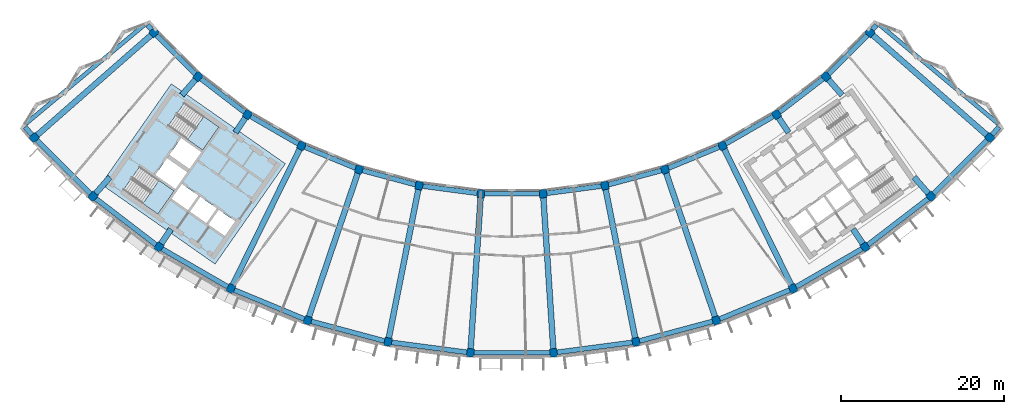
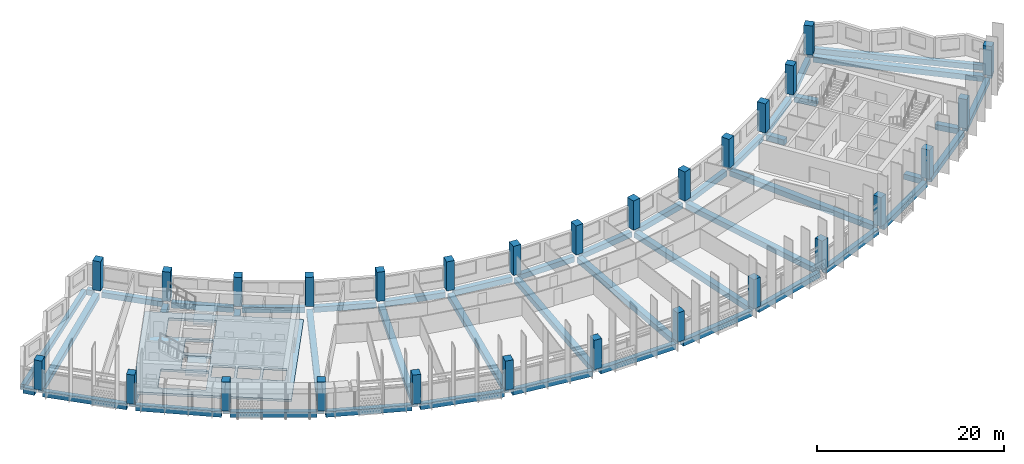
# One storey, part 1 of 28: 50 beams, 28 columns, 3 slabs, 2 elements without a shape of their own.
"""IFC4 building model written with IfcOpenShell, lengths in metres."""

from ifc_helpers import new_model, si_unit, direction, frame, origin, origin_2d, place, context, subcontext, project, spatial, polyline, rectangle, outline, extrude, material, layer, layer_set, material_profile, profile_set, type_object, element, aggregate, save


model = new_model("IFC4")

# Units and contexts
model_context = context("Model", 3, precision=1e-05, world=origin(), true_north=direction((0.0, 1.0)))
body_context = subcontext(model_context, "Body", "Model", "MODEL_VIEW")
ifc_project = project(units=[si_unit("LENGTHUNIT", "METRE"), si_unit("AREAUNIT", "SQUARE_METRE"), si_unit("VOLUMEUNIT", "CUBIC_METRE"), si_unit("PLANEANGLEUNIT", "RADIAN"), si_unit("MASSUNIT", "GRAM", prefix="KILO")], contexts=[model_context])

# Site, building, storey
site_placement = place(None, origin())
site = spatial("IfcSite", under=ifc_project, at=site_placement, CompositionType="ELEMENT")
building_placement = place(site_placement, origin())
building = spatial("IfcBuilding", under=site, at=building_placement, Name="Qamariyya Broadcast Tower", CompositionType="ELEMENT")
storey_placement = place(building_placement, frame((0.0, 0.0, 265.699951171875)))
storey = spatial("IfcBuildingStorey", under=building, at=storey_placement, Name="L64", CompositionType="ELEMENT", Elevation=265.699951171875)

# Columns
ifc_material_1 = material(Name="Concrete C50/60", Category="concrete")
ifc_material_profile_1 = material_profile(ifc_material_1, rectangle(XDim=0.89990234375, YDim=1.0, at=origin_2d()))
ifc_profile_set_1 = profile_set([ifc_material_profile_1], Name="Concrete C50/60")
column_type = type_object("IfcColumnType", Name="RC column 900 x 1000 C50/60", PredefinedType="COLUMN", material=ifc_profile_set_1)
for number, where, z_axis, x_axis, name in (
    (1, (-43.794677734375, -38.406982421875, 0.0), (0.0, 0.0, 1.0), (0.6593458151, -0.751839807479, 0.0), "Column C12 L64 B-R04"),
    (2, (-58.45556640625, -51.26416015625, 0.0), (0.0, 0.0, 1.0), (0.6593458151, -0.751839807479, 0.0), "Column C12 L64 C-R04"),
    (3, (-38.406982421875, -43.794677734375, 0.0), (0.0, 0.0, 1.0), (0.751839807479, -0.6593458151, 0.0), "Column C12 L64 B-R05"),
    (4, (-51.26416015625, -58.45556640625, 0.0), (0.0, 0.0, 1.0), (0.751839807479, -0.6593458151, 0.0), "Column C12 L64 C-R05"),
    (5, (-32.362060546875, -48.43310546875, 0.0), (0.0, 0.0, 1.0), (0.831469612303, -0.55557023302, 0.0), "Column C12 L64 B-R06"),
    (6, (-43.195556640625, -64.646728515625, 0.0), (0.0, 0.0, 1.0), (0.831469612303, -0.55557023302, 0.0), "Column C12 L64 C-R06"),
    (7, (-25.763427734375, -52.242919921875, 0.0), (0.0, 0.0, 1.0), (0.896872741533, -0.442288690219, 0.0), "Column C12 L64 B-R07"),
    (8, (-34.387939453125, -69.73193359375, 0.0), (0.0, 0.0, 1.0), (0.896872741533, -0.442288690219, 0.0), "Column C12 L64 C-R07"),
    (9, (-18.723876953125, -55.15869140625, 0.0), (0.0, 0.0, 1.0), (0.946930129495, -0.321439465303, 0.0), "Column C12 L64 B-R08"),
    (10, (-24.991943359375, -73.623779296875, 0.0), (0.0, 0.0, 1.0), (0.946930129495, -0.321439465303, 0.0), "Column C12 L64 C-R08"),
    (11, (-11.364013671875, -57.130859375, 0.0), (0.0, 0.0, 1.0), (0.980785280403, -0.195090322016, 0.0), "Column C12 L64 B-R09"),
    (12, (-15.168212890625, -76.256103515625, 0.0), (0.0, 0.0, 1.0), (0.980785280403, -0.195090322016, 0.0), "Column C12 L64 C-R09"),
    (13, (-3.809814453125, -58.125244140625, 0.0), (0.0, 0.0, 1.0), (0.997858923239, -0.06540312923, 0.0), "Column C12 L64 B-R10"),
    (14, (-5.085205078125, -77.58349609375, 0.0), (0.0, 0.0, 1.0), (0.997858923239, -0.06540312923, 0.0), "Column C12 L64 C-R10"),
    (15, (3.809814453125, -58.125244140625, 0.0), (0.0, 0.0, 1.0), (0.997858923239, 0.06540312923, 0.0), "Column C12 L64 B-R11"),
    (16, (5.085205078125, -77.58349609375, 0.0), (0.0, 0.0, 1.0), (0.997858923239, 0.06540312923, 0.0), "Column C12 L64 C-R11"),
    (17, (11.364013671875, -57.130859375, 0.0), (0.0, 0.0, 1.0), (0.980785280403, 0.195090322016, 0.0), "Column C12 L64 B-R12"),
    (18, (15.168212890625, -76.256103515625, 0.0), (0.0, 0.0, 1.0), (0.980785280403, 0.195090322016, 0.0), "Column C12 L64 C-R12"),
    (19, (18.723876953125, -55.15869140625, 0.0), (0.0, 0.0, 1.0), (0.946930129495, 0.321439465303, 0.0), "Column C12 L64 B-R13"),
    (20, (24.991943359375, -73.623779296875, 0.0), (0.0, 0.0, 1.0), (0.946930129495, 0.321439465303, 0.0), "Column C12 L64 C-R13"),
    (21, (25.763427734375, -52.242919921875, 0.0), (0.0, 0.0, 1.0), (0.896872741533, 0.442288690219, 0.0), "Column C12 L64 B-R14"),
    (22, (34.387939453125, -69.73193359375, 0.0), (0.0, 0.0, 1.0), (0.896872741533, 0.442288690219, 0.0), "Column C12 L64 C-R14"),
    (23, (32.362060546875, -48.43310546875, 0.0), (0.0, 0.0, 1.0), (0.831469612303, 0.55557023302, 0.0), "Column C12 L64 B-R15"),
    (24, (43.195556640625, -64.646728515625, 0.0), (0.0, 0.0, 1.0), (0.831469612303, 0.55557023302, 0.0), "Column C12 L64 C-R15"),
    (25, (38.406982421875, -43.794677734375, 0.0), (0.0, 0.0, 1.0), (0.751839807479, 0.6593458151, 0.0), "Column C12 L64 B-R16"),
    (26, (51.26416015625, -58.45556640625, 0.0), (0.0, 0.0, 1.0), (0.751839807479, 0.6593458151, 0.0), "Column C12 L64 C-R16"),
    (27, (43.794677734375, -38.406982421875, 0.0), (0.0, 0.0, 1.0), (0.6593458151, 0.751839807479, 0.0), "Column C12 L64 B-R17"),
    (28, (58.45556640625, -51.26416015625, 0.0), (0.0, 0.0, 1.0), (0.6593458151, 0.751839807479, 0.0), "Column C12 L64 C-R17"),
):
    element("IfcColumn", number, at=place(storey_placement, frame(where, z_axis=z_axis, x_axis=x_axis)), inside=storey, type_object=column_type, Name=name, PredefinedType="COLUMN", context=body_context, shape_type="SweptSolid", body=[
        extrude(rectangle(XDim=0.89990234375, YDim=1.0, at=origin_2d()), origin(), (0.0, 0.0, 1.0), 3.800048828125),
    ])

# Beams
ifc_material_2 = material(Name="Concrete C40/50", Category="concrete")
ifc_material_profile_2 = material_profile(ifc_material_2, rectangle(XDim=0.60009765625, YDim=0.699951171875, at=origin_2d()))
ifc_profile_set_2 = profile_set([ifc_material_profile_2], Name="Concrete C40/50")
beam_type_1 = type_object("IfcBeamType", Name="RC edge beam 600 x 700 C40/50", PredefinedType="SPANDREL", material=ifc_profile_set_2)
for number, where, z_axis, x_axis, name in (
    (29, (-43.475830078125, -38.725830078125, -0.64990234375), (0.707106781187, -0.707106781187, 0.0), (0.707106781187, 0.707106781187, 0.0), "Edge beam B20 L64 B R04-R05"),
    (30, (-38.049072265625, -44.069091796875, -0.64990234375), (0.793335450892, -0.608784742219, 0.0), (0.608784742219, 0.793335450892, 0.0), "Edge beam B20 L64 B R05-R06"),
    (31, (-31.971435546875, -48.65869140625, -0.64990234375), (0.866036098112, -0.499981476425, 0.0), (0.499981476425, 0.866036098112, 0.0), "Edge beam B20 L64 B R06-R07"),
    (32, (-25.3466796875, -52.41552734375, -0.64990234375), (0.923888821942, -0.382661004926, 0.0), (0.382661004926, 0.923888821942, 0.0), "Edge beam B20 L64 B R07-R08"),
    (33, (-18.288330078125, -55.275390625, -0.64990234375), (0.965930856343, -0.258800271955, 0.0), (0.258800271955, 0.965930856343, 0.0), "Edge beam B20 L64 B R08-R09"),
    (34, (-10.9169921875, -57.189697265625, -0.64990234375), (0.991447119382, -0.130509039798, 0.0), (0.130509039798, 0.991447119382, 0.0), "Edge beam B20 L64 B R09-R10"),
):
    element("IfcBeam", number, at=place(storey_placement, frame(where, z_axis=z_axis, x_axis=x_axis)), inside=storey, type_object=beam_type_1, Name=name, PredefinedType="SPANDREL", context=body_context, shape_type="SweptSolid", body=[
        extrude(rectangle(XDim=0.60009765625, YDim=0.699951171875, at=origin_2d()), origin(), (0.0, 0.0, 1.0), 6.717529296875),
    ])
beam_1_placement = place(storey_placement, frame((-3.35888671875, -58.125244140625, -0.64990234375), z_axis=(1.0, 0.0, 0.0), x_axis=(0.0, 1.0, 0.0)))
element("IfcBeam", 35, at=beam_1_placement, inside=storey, type_object=beam_type_1, Name="Edge beam B20 L64 B R10-R11", PredefinedType="SPANDREL", context=body_context, shape_type="SweptSolid", body=[
    extrude(rectangle(XDim=0.60009765625, YDim=0.699951171875, at=origin_2d()), origin(), (0.0, 0.0, 1.0), 6.7177734375),
])
for number, where, z_axis, x_axis, name in (
    (36, (4.2568359375, -58.06640625, -0.64990234375), (0.991447119382, 0.130509039798, 0.0), (-0.130509039798, 0.991447119382, 0.0), "Edge beam B20 L64 B R11-R12"),
    (37, (11.799560546875, -57.013916015625, -0.64990234375), (0.965930856343, 0.258800271955, 0.0), (-0.258800271955, 0.965930856343, 0.0), "Edge beam B20 L64 B R12-R13"),
    (38, (19.140380859375, -54.986083984375, -0.64990234375), (0.923888821942, 0.382661004926, 0.0), (-0.382661004926, 0.923888821942, 0.0), "Edge beam B20 L64 B R13-R14"),
    (39, (26.15380859375, -52.017333984375, -0.64990234375), (0.866036098112, 0.499981476425, 0.0), (-0.499981476425, 0.866036098112, 0.0), "Edge beam B20 L64 B R14-R15"),
    (40, (32.7197265625, -48.15869140625, -0.64990234375), (0.793335450892, 0.608784742219, 0.0), (-0.608784742219, 0.793335450892, 0.0), "Edge beam B20 L64 B R15-R16"),
    (41, (38.725830078125, -43.475830078125, -0.64990234375), (0.707106781187, 0.707106781187, 0.0), (-0.707106781187, 0.707106781187, 0.0), "Edge beam B20 L64 B R16-R17"),
):
    element("IfcBeam", number, at=place(storey_placement, frame(where, z_axis=z_axis, x_axis=x_axis)), inside=storey, type_object=beam_type_1, Name=name, PredefinedType="SPANDREL", context=body_context, shape_type="SweptSolid", body=[
        extrude(rectangle(XDim=0.60009765625, YDim=0.699951171875, at=origin_2d()), origin(), (0.0, 0.0, 1.0), 6.717529296875),
    ])
for number, where, z_axis, x_axis, name in (
    (42, (-58.13671875, -51.5830078125, -0.64990234375), (0.707106781187, -0.707106781187, 0.0), (0.707106781187, 0.707106781187, 0.0), "Edge beam B20 L64 C R04-R05"),
    (43, (-50.90625, -58.72998046875, -0.64990234375), (0.793335362304, -0.608784857662, 0.0), (0.608784857662, 0.793335362304, 0.0), "Edge beam B20 L64 C R05-R06"),
):
    element("IfcBeam", number, at=place(storey_placement, frame(where, z_axis=z_axis, x_axis=x_axis)), inside=storey, type_object=beam_type_1, Name=name, PredefinedType="SPANDREL", context=body_context, shape_type="SweptSolid", body=[
        extrude(rectangle(XDim=0.60009765625, YDim=0.699951171875, at=origin_2d()), origin(), (0.0, 0.0, 1.0), 9.268310546875),
    ])
for number, where, z_axis, x_axis, name in (
    (44, (-42.804931640625, -64.872314453125, -0.64990234375), (0.866025032501, -0.50000064308, 0.0), (0.50000064308, 0.866025032501, 0.0), "Edge beam B20 L64 C R06-R07"),
    (45, (-33.97119140625, -69.904541015625, -0.64990234375), (0.923886165939, -0.382667417461, 0.0), (0.382667417461, 0.923886165939, 0.0), "Edge beam B20 L64 C R07-R08"),
):
    element("IfcBeam", number, at=place(storey_placement, frame(where, z_axis=z_axis, x_axis=x_axis)), inside=storey, type_object=beam_type_1, Name=name, PredefinedType="SPANDREL", context=body_context, shape_type="SweptSolid", body=[
        extrude(rectangle(XDim=0.60009765625, YDim=0.699951171875, at=origin_2d()), origin(), (0.0, 0.0, 1.0), 9.26806640625),
    ])
beam_2_placement = place(storey_placement, frame((-24.556396484375, -73.740478515625, -0.64990234375), z_axis=(0.965923830183, -0.258826494556, 0.0), x_axis=(0.258826494556, 0.965923830183, 0.0)))
element("IfcBeam", 46, at=beam_2_placement, inside=storey, type_object=beam_type_1, Name="Edge beam B20 L64 C R08-R09", PredefinedType="SPANDREL", context=body_context, shape_type="SweptSolid", body=[
    extrude(rectangle(XDim=0.60009765625, YDim=0.699951171875, at=origin_2d()), origin(), (0.0, 0.0, 1.0), 9.2685546875),
])
beam_3_placement = place(storey_placement, frame((-14.72119140625, -76.31494140625, -0.64990234375), z_axis=(0.991445327372, -0.130522652562, 0.0), x_axis=(0.130522652562, 0.991445327372, 0.0)))
element("IfcBeam", 47, at=beam_3_placement, inside=storey, type_object=beam_type_1, Name="Edge beam B20 L64 C R09-R10", PredefinedType="SPANDREL", context=body_context, shape_type="SweptSolid", body=[
    extrude(rectangle(XDim=0.60009765625, YDim=0.699951171875, at=origin_2d()), origin(), (0.0, 0.0, 1.0), 9.268310546875),
])
beam_4_placement = place(storey_placement, frame((-4.634033203125, -77.58349609375, -0.64990234375), z_axis=(1.0, 0.0, 0.0), x_axis=(0.0, 1.0, 0.0)))
element("IfcBeam", 48, at=beam_4_placement, inside=storey, type_object=beam_type_1, Name="Edge beam B20 L64 C R10-R11", PredefinedType="SPANDREL", context=body_context, shape_type="SweptSolid", body=[
    extrude(rectangle(XDim=0.60009765625, YDim=0.699951171875, at=origin_2d()), origin(), (0.0, 0.0, 1.0), 9.26806640625),
])
beam_5_placement = place(storey_placement, frame((5.5322265625, -77.524658203125, -0.64990234375), z_axis=(0.991445327372, 0.130522652562, 0.0), x_axis=(-0.130522652562, 0.991445327372, 0.0)))
element("IfcBeam", 49, at=beam_5_placement, inside=storey, type_object=beam_type_1, Name="Edge beam B20 L64 C R11-R12", PredefinedType="SPANDREL", context=body_context, shape_type="SweptSolid", body=[
    extrude(rectangle(XDim=0.60009765625, YDim=0.699951171875, at=origin_2d()), origin(), (0.0, 0.0, 1.0), 9.268310546875),
])
beam_6_placement = place(storey_placement, frame((15.603759765625, -76.139404296875, -0.64990234375), z_axis=(0.965923830183, 0.258826494556, 0.0), x_axis=(-0.258826494556, 0.965923830183, 0.0)))
element("IfcBeam", 50, at=beam_6_placement, inside=storey, type_object=beam_type_1, Name="Edge beam B20 L64 C R12-R13", PredefinedType="SPANDREL", context=body_context, shape_type="SweptSolid", body=[
    extrude(rectangle(XDim=0.60009765625, YDim=0.699951171875, at=origin_2d()), origin(), (0.0, 0.0, 1.0), 9.2685546875),
])
for number, where, z_axis, x_axis, name in (
    (51, (25.408447265625, -73.451171875, -0.64990234375), (0.923886165939, 0.382667417461, 0.0), (-0.382667417461, 0.923886165939, 0.0), "Edge beam B20 L64 C R13-R14"),
    (52, (34.778564453125, -69.50634765625, -0.64990234375), (0.866025032501, 0.50000064308, 0.0), (-0.50000064308, 0.866025032501, 0.0), "Edge beam B20 L64 C R14-R15"),
):
    element("IfcBeam", number, at=place(storey_placement, frame(where, z_axis=z_axis, x_axis=x_axis)), inside=storey, type_object=beam_type_1, Name=name, PredefinedType="SPANDREL", context=body_context, shape_type="SweptSolid", body=[
        extrude(rectangle(XDim=0.60009765625, YDim=0.699951171875, at=origin_2d()), origin(), (0.0, 0.0, 1.0), 9.26806640625),
    ])
for number, where, z_axis, x_axis, name in (
    (53, (43.553466796875, -64.372314453125, -0.64990234375), (0.793335362304, 0.608784857662, 0.0), (-0.608784857662, 0.793335362304, 0.0), "Edge beam B20 L64 C R15-R16"),
    (54, (51.5830078125, -58.13671875, -0.64990234375), (0.707106781187, 0.707106781187, 0.0), (-0.707106781187, 0.707106781187, 0.0), "Edge beam B20 L64 C R16-R17"),
):
    element("IfcBeam", number, at=place(storey_placement, frame(where, z_axis=z_axis, x_axis=x_axis)), inside=storey, type_object=beam_type_1, Name=name, PredefinedType="SPANDREL", context=body_context, shape_type="SweptSolid", body=[
        extrude(rectangle(XDim=0.60009765625, YDim=0.699951171875, at=origin_2d()), origin(), (0.0, 0.0, 1.0), 9.268310546875),
    ])
ifc_material_profile_3 = material_profile(ifc_material_2, rectangle(XDim=0.60009765625, YDim=0.699951171875, at=origin_2d()))
ifc_profile_set_3 = profile_set([ifc_material_profile_3], Name="Concrete C40/50")
beam_type_2 = type_object("IfcBeamType", Name="RC horn beam 600 x 700 C40/50", PredefinedType="BEAM", material=ifc_profile_set_3)
beam_7_placement = place(storey_placement, frame((-44.087158203125, -38.064697265625, -0.64990234375), z_axis=(-0.649781149204, 0.760121344352, 0.0), x_axis=(-0.760121344352, -0.649781149204, 0.0)))
element("IfcBeam", 55, at=beam_7_placement, inside=storey, type_object=beam_type_2, Name="Horn beam B19 L64 W B-R04", PredefinedType="BEAM", context=body_context, shape_type="SweptSolid", body=[
    extrude(rectangle(XDim=0.60009765625, YDim=0.699951171875, at=origin_2d()), origin(), (0.0, 0.0, 1.0), 0.776611328125),
])
beam_8_placement = place(storey_placement, frame((-58.748046875, -50.922119140625, -0.64990234375), z_axis=(-0.649636184327, 0.760245242019, 0.0), x_axis=(-0.760245242019, -0.649636184327, 0.0)))
element("IfcBeam", 56, at=beam_8_placement, inside=storey, type_object=beam_type_2, Name="Horn beam B19 L64 W C-R04", PredefinedType="BEAM", context=body_context, shape_type="SweptSolid", body=[
    extrude(rectangle(XDim=0.60009765625, YDim=0.699951171875, at=origin_2d()), origin(), (0.0, 0.0, 1.0), 1.271484375),
])
beam_9_placement = place(storey_placement, frame((44.087158203125, -38.064697265625, -0.64990234375), z_axis=(0.649781149204, 0.760121344352, 0.0), x_axis=(-0.760121344352, 0.649781149204, 0.0)))
element("IfcBeam", 57, at=beam_9_placement, inside=storey, type_object=beam_type_2, Name="Horn beam B19 L64 E B-R17", PredefinedType="BEAM", context=body_context, shape_type="SweptSolid", body=[
    extrude(rectangle(XDim=0.60009765625, YDim=0.699951171875, at=origin_2d()), origin(), (0.0, 0.0, 1.0), 0.776611328125),
])
beam_10_placement = place(storey_placement, frame((58.748046875, -50.922119140625, -0.64990234375), z_axis=(0.649636184327, 0.760245242019, 0.0), x_axis=(-0.760245242019, 0.649636184327, 0.0)))
element("IfcBeam", 58, at=beam_10_placement, inside=storey, type_object=beam_type_2, Name="Horn beam B19 L64 E C-R17", PredefinedType="BEAM", context=body_context, shape_type="SweptSolid", body=[
    extrude(rectangle(XDim=0.60009765625, YDim=0.699951171875, at=origin_2d()), origin(), (0.0, 0.0, 1.0), 1.271484375),
])
ifc_material_profile_4 = material_profile(ifc_material_2, rectangle(XDim=0.5, YDim=0.699951171875, at=origin_2d()))
ifc_profile_set_4 = profile_set([ifc_material_profile_4], Name="Concrete C40/50")
beam_type_3 = type_object("IfcBeamType", Name="RC horn cap beam 500 x 700 C40/50", PredefinedType="BEAM", material=ifc_profile_set_4)
for number, where, z_axis, x_axis, name in (
    (59, (-44.98486328125, -37.476318359375, -0.64990234375), (-0.768310212712, -0.640077664852, 0.0), (0.640077664852, -0.768310212712, 0.0), "Horn cap beam B21 L64 W B-C"),
    (60, (44.98486328125, -37.476318359375, -0.64990234375), (0.768310212712, -0.640077664852, 0.0), (0.640077664852, 0.768310212712, 0.0), "Horn cap beam B21 L64 E B-C"),
):
    element("IfcBeam", number, at=place(storey_placement, frame(where, z_axis=z_axis, x_axis=x_axis)), inside=storey, type_object=beam_type_3, Name=name, PredefinedType="BEAM", context=body_context, shape_type="SweptSolid", body=[
        extrude(rectangle(XDim=0.5, YDim=0.699951171875, at=origin_2d()), origin(), (0.0, 0.0, 1.0), 18.89990234375),
    ])
ifc_material_profile_5 = material_profile(ifc_material_2, rectangle(XDim=0.699951171875, YDim=0.699951171875, at=origin_2d()))
ifc_profile_set_5 = profile_set([ifc_material_profile_5], Name="Concrete C40/50")
beam_type_4 = type_object("IfcBeamType", Name="RC radial beam 700 x 700 C40/50", PredefinedType="BEAM", material=ifc_profile_set_5)
beam_11_placement = place(storey_placement, frame((-44.170654296875, -38.736572265625, -0.64990234375), z_axis=(-0.751834744467, -0.659351588314, 0.0), x_axis=(0.659351588314, -0.751834744467, 0.0)))
element("IfcBeam", 61, at=beam_11_placement, inside=storey, type_object=beam_type_4, Name="Radial beam B18 L64 R04 B-C", PredefinedType="BEAM", context=body_context, shape_type="SweptSolid", body=[
    extrude(rectangle(XDim=0.699951171875, YDim=0.699951171875, at=origin_2d()), origin(), (0.0, 0.0, 1.0), 18.5),
])
beam_12_placement = place(storey_placement, frame((-38.736572265625, -44.170654296875, -0.64990234375), z_axis=(-0.659370418704, -0.751818229986, 0.0), x_axis=(0.751818229986, -0.659370418704, 0.0)))
element("IfcBeam", 62, at=beam_12_placement, inside=storey, type_object=beam_type_4, Name="Radial beam B18 L64 R05 B-C", PredefinedType="BEAM", context=body_context, shape_type="SweptSolid", body=[
    extrude(rectangle(XDim=0.699951171875, YDim=0.699951171875, at=origin_2d()), origin(), (0.0, 0.0, 1.0), 2.51416015625),
])
beam_13_placement = place(storey_placement, frame((-49.1943359375, -56.095458984375, -0.64990234375), z_axis=(-0.659388288985, -0.751802556759, 0.0), x_axis=(0.751802556759, -0.659388288985, 0.0)))
element("IfcBeam", 63, at=beam_13_placement, inside=storey, type_object=beam_type_4, Name="Radial beam B18 L64 R05 B-C", PredefinedType="BEAM", context=body_context, shape_type="SweptSolid", body=[
    extrude(rectangle(XDim=0.699951171875, YDim=0.699951171875, at=origin_2d()), origin(), (0.0, 0.0, 1.0), 2.63916015625),
])
beam_14_placement = place(storey_placement, frame((-32.6396484375, -48.848876953125, -0.64990234375), z_axis=(-0.555636925355, -0.83142504604, 0.0), x_axis=(0.83142504604, -0.555636925355, 0.0)))
element("IfcBeam", 64, at=beam_14_placement, inside=storey, type_object=beam_type_4, Name="Radial beam B18 L64 R06 B-C", PredefinedType="BEAM", context=body_context, shape_type="SweptSolid", body=[
    extrude(rectangle(XDim=0.699951171875, YDim=0.699951171875, at=origin_2d()), origin(), (0.0, 0.0, 1.0), 2.16455078125),
])
beam_15_placement = place(storey_placement, frame((-41.733154296875, -62.458251953125, -0.64990234375), z_axis=(-0.555598329138, -0.83145083839, 0.0), x_axis=(0.83145083839, -0.555598329138, 0.0)))
element("IfcBeam", 65, at=beam_15_placement, inside=storey, type_object=beam_type_4, Name="Radial beam B18 L64 R06 B-C", PredefinedType="BEAM", context=body_context, shape_type="SweptSolid", body=[
    extrude(rectangle(XDim=0.699951171875, YDim=0.699951171875, at=origin_2d()), origin(), (0.0, 0.0, 1.0), 2.132080078125),
])
for number, where, z_axis, x_axis, name in (
    (66, (-25.984375, -52.691162109375, -0.64990234375), (-0.442287103846, -0.896873523843, 0.0), (0.896873523843, -0.442287103846, 0.0), "Radial beam B18 L64 R07 B-C"),
    (67, (-18.884521484375, -55.632080078125, -0.64990234375), (-0.321444904473, -0.946928283128, 0.0), (0.946928283128, -0.321444904473, 0.0), "Radial beam B18 L64 R08 B-C"),
):
    element("IfcBeam", number, at=place(storey_placement, frame(where, z_axis=z_axis, x_axis=x_axis)), inside=storey, type_object=beam_type_4, Name=name, PredefinedType="BEAM", context=body_context, shape_type="SweptSolid", body=[
        extrude(rectangle(XDim=0.699951171875, YDim=0.699951171875, at=origin_2d()), origin(), (0.0, 0.0, 1.0), 18.500244140625),
    ])
for number, where, z_axis, x_axis, name in (
    (68, (-11.461669921875, -57.62109375, -0.64990234375), (-0.195088200207, -0.980785702455, 0.0), (0.980785702455, -0.195088200207, 0.0), "Radial beam B18 L64 R09 B-C"),
    (69, (-3.842529296875, -58.624267578125, -0.64990234375), (-0.065403084588, -0.997858926165, 0.0), (0.997858926165, -0.065403084588, 0.0), "Radial beam B18 L64 R10 B-C"),
    (70, (3.842529296875, -58.624267578125, -0.64990234375), (0.065403084588, -0.997858926165, 0.0), (0.997858926165, 0.065403084588, 0.0), "Radial beam B18 L64 R11 B-C"),
    (71, (11.461669921875, -57.62109375, -0.64990234375), (0.195088200207, -0.980785702455, 0.0), (0.980785702455, 0.195088200207, 0.0), "Radial beam B18 L64 R12 B-C"),
):
    element("IfcBeam", number, at=place(storey_placement, frame(where, z_axis=z_axis, x_axis=x_axis)), inside=storey, type_object=beam_type_4, Name=name, PredefinedType="BEAM", context=body_context, shape_type="SweptSolid", body=[
        extrude(rectangle(XDim=0.699951171875, YDim=0.699951171875, at=origin_2d()), origin(), (0.0, 0.0, 1.0), 18.5),
    ])
for number, where, z_axis, x_axis, name in (
    (72, (18.884521484375, -55.632080078125, -0.64990234375), (0.321444904473, -0.946928283128, 0.0), (0.946928283128, 0.321444904473, 0.0), "Radial beam B18 L64 R13 B-C"),
    (73, (25.984375, -52.691162109375, -0.64990234375), (0.442287103846, -0.896873523843, 0.0), (0.896873523843, 0.442287103846, 0.0), "Radial beam B18 L64 R14 B-C"),
):
    element("IfcBeam", number, at=place(storey_placement, frame(where, z_axis=z_axis, x_axis=x_axis)), inside=storey, type_object=beam_type_4, Name=name, PredefinedType="BEAM", context=body_context, shape_type="SweptSolid", body=[
        extrude(rectangle(XDim=0.699951171875, YDim=0.699951171875, at=origin_2d()), origin(), (0.0, 0.0, 1.0), 18.500244140625),
    ])
beam_16_placement = place(storey_placement, frame((32.6396484375, -48.848876953125, -0.64990234375), z_axis=(0.555636925355, -0.83142504604, 0.0), x_axis=(0.83142504604, 0.555636925355, 0.0)))
element("IfcBeam", 74, at=beam_16_placement, inside=storey, type_object=beam_type_4, Name="Radial beam B18 L64 R15 B-C", PredefinedType="BEAM", context=body_context, shape_type="SweptSolid", body=[
    extrude(rectangle(XDim=0.699951171875, YDim=0.699951171875, at=origin_2d()), origin(), (0.0, 0.0, 1.0), 2.16455078125),
])
beam_17_placement = place(storey_placement, frame((41.733154296875, -62.458251953125, -0.64990234375), z_axis=(0.555598329138, -0.83145083839, 0.0), x_axis=(0.83145083839, 0.555598329138, 0.0)))
element("IfcBeam", 75, at=beam_17_placement, inside=storey, type_object=beam_type_4, Name="Radial beam B18 L64 R15 B-C", PredefinedType="BEAM", context=body_context, shape_type="SweptSolid", body=[
    extrude(rectangle(XDim=0.699951171875, YDim=0.699951171875, at=origin_2d()), origin(), (0.0, 0.0, 1.0), 2.132080078125),
])
beam_18_placement = place(storey_placement, frame((38.736572265625, -44.170654296875, -0.64990234375), z_axis=(0.659370418704, -0.751818229986, 0.0), x_axis=(0.751818229986, 0.659370418704, 0.0)))
element("IfcBeam", 76, at=beam_18_placement, inside=storey, type_object=beam_type_4, Name="Radial beam B18 L64 R16 B-C", PredefinedType="BEAM", context=body_context, shape_type="SweptSolid", body=[
    extrude(rectangle(XDim=0.699951171875, YDim=0.699951171875, at=origin_2d()), origin(), (0.0, 0.0, 1.0), 2.51416015625),
])
beam_19_placement = place(storey_placement, frame((49.1943359375, -56.095458984375, -0.64990234375), z_axis=(0.659388288985, -0.751802556759, 0.0), x_axis=(0.751802556759, 0.659388288985, 0.0)))
element("IfcBeam", 77, at=beam_19_placement, inside=storey, type_object=beam_type_4, Name="Radial beam B18 L64 R16 B-C", PredefinedType="BEAM", context=body_context, shape_type="SweptSolid", body=[
    extrude(rectangle(XDim=0.699951171875, YDim=0.699951171875, at=origin_2d()), origin(), (0.0, 0.0, 1.0), 2.63916015625),
])
beam_20_placement = place(storey_placement, frame((44.170654296875, -38.736572265625, -0.64990234375), z_axis=(0.751834744467, -0.659351588314, 0.0), x_axis=(0.659351588314, 0.751834744467, 0.0)))
element("IfcBeam", 78, at=beam_20_placement, inside=storey, type_object=beam_type_4, Name="Radial beam B18 L64 R17 B-C", PredefinedType="BEAM", context=body_context, shape_type="SweptSolid", body=[
    extrude(rectangle(XDim=0.699951171875, YDim=0.699951171875, at=origin_2d()), origin(), (0.0, 0.0, 1.0), 18.5),
])

# Slab
ifc_layer_1 = layer(ifc_material_2, 0.300048828125)
ifc_layer_set_1 = layer_set([ifc_layer_1], Name="Core floor slab 300 mm Concrete C40/50")
slab_type_1 = type_object("IfcSlabType", Name="Core floor slab 300 mm Concrete C40/50", PredefinedType="FLOOR", material=ifc_layer_set_1)
slab_1_placement = place(storey_placement, frame((0.0, 0.0, -0.300048828125)))
element("IfcSlab", 79, at=slab_1_placement, inside=storey, type_object=slab_type_1, Name="k-W-L64-slab", PredefinedType="FLOOR", context=body_context, shape_type="SweptSolid", body=[
    extrude(outline(polyline([(-50.286376953125, -56.95751953125), (-36.32373046875, -66.734375), (-27.719970703125, -54.447021484375), (-41.6826171875, -44.67041015625), (-50.286376953125, -56.95751953125)]), holes=[polyline([(-33.87353515625, -61.49169921875), (-35.88037109375, -60.08642578125), (-37.142333984375, -61.888427734375), (-35.13525390625, -63.293701171875), (-33.87353515625, -61.49169921875)]), polyline([(-36.126220703125, -59.914306640625), (-38.133056640625, -58.509033203125), (-39.394775390625, -60.311279296875), (-37.387939453125, -61.716552734375), (-36.126220703125, -59.914306640625)]), polyline([(-38.378662109375, -58.3369140625), (-40.3857421875, -56.931640625), (-41.6474609375, -58.73388671875), (-39.640625, -60.13916015625), (-38.378662109375, -58.3369140625)]), polyline([(-39.742431640625, -55.489990234375), (-42.199951171875, -53.769287109375), (-43.6337890625, -55.817138671875), (-41.17626953125, -57.537841796875), (-39.742431640625, -55.489990234375)]), polyline([(-39.45556640625, -55.080322265625), (-41.9130859375, -53.359619140625), (-40.47900390625, -51.311767578125), (-38.021728515625, -53.032470703125), (-39.45556640625, -55.080322265625)]), polyline([(-42.06103515625, -49.837890625), (-37.849609375, -52.78662109375), (-35.870849609375, -49.960693359375), (-40.082275390625, -47.01171875), (-42.06103515625, -49.837890625)]), polyline([(-47.538818359375, -57.66064453125), (-43.3271484375, -60.609619140625), (-41.348388671875, -57.783447265625), (-45.559814453125, -54.834716796875), (-47.538818359375, -57.66064453125)])]), origin(), (0.0, 0.0, 1.0), 0.300048828125),
])

# Stair, slab
stair_type = type_object("IfcStairType", Name="Exit stair 22 risers of 173 mm", PredefinedType="HALF_TURN_STAIR", material=ifc_material_1)
stair_1_placement = place(storey_placement, origin())
stair_1 = element("IfcStair", 80, at=stair_1_placement, inside=storey, type_object=stair_type, Name="L64 Stair W2", PredefinedType="HALF_TURN_STAIR")
ifc_layer_2 = layer(ifc_material_1, 0.199951171875)
ifc_layer_set_2 = layer_set([ifc_layer_2], Name="Stair landing")
slab_type_2 = type_object("IfcSlabType", Name="Stair landing", PredefinedType="LANDING", material=ifc_layer_set_2)
slab_2_placement = place(storey_placement, frame((0.0, 0.0, 1.699951171875)))
slab_2 = element("IfcSlab", 81, at=slab_2_placement, type_object=slab_type_2, Name="ST-W2 landing 1", PredefinedType="LANDING", context=body_context, shape_type="SweptSolid", body=[
    extrude(outline(polyline([(-39.692138671875, -51.49658203125), (-37.849609375, -52.78662109375), (-35.870849609375, -49.960693359375), (-37.71337890625, -48.67041015625), (-39.692138671875, -51.49658203125)])), origin(), (0.0, 0.0, 1.0), 0.2001953125),
])
aggregate(stair_1, [slab_2])

stair_2_placement = place(storey_placement, origin())
stair_2 = element("IfcStair", 82, at=stair_2_placement, inside=storey, type_object=stair_type, Name="L64 Stair W1", PredefinedType="HALF_TURN_STAIR")
slab_3_placement = place(storey_placement, frame((0.0, 0.0, 1.699951171875)))
slab_3 = element("IfcSlab", 83, at=slab_3_placement, type_object=slab_type_2, Name="ST-W1 landing 1", PredefinedType="LANDING", context=body_context, shape_type="SweptSolid", body=[
    extrude(outline(polyline([(-45.169677734375, -59.319580078125), (-43.3271484375, -60.609619140625), (-41.348388671875, -57.783447265625), (-43.19091796875, -56.493408203125), (-45.169677734375, -59.319580078125)])), origin(), (0.0, 0.0, 1.0), 0.2001953125),
])
aggregate(stair_2, [slab_3])

save(model, "model.ifc")
